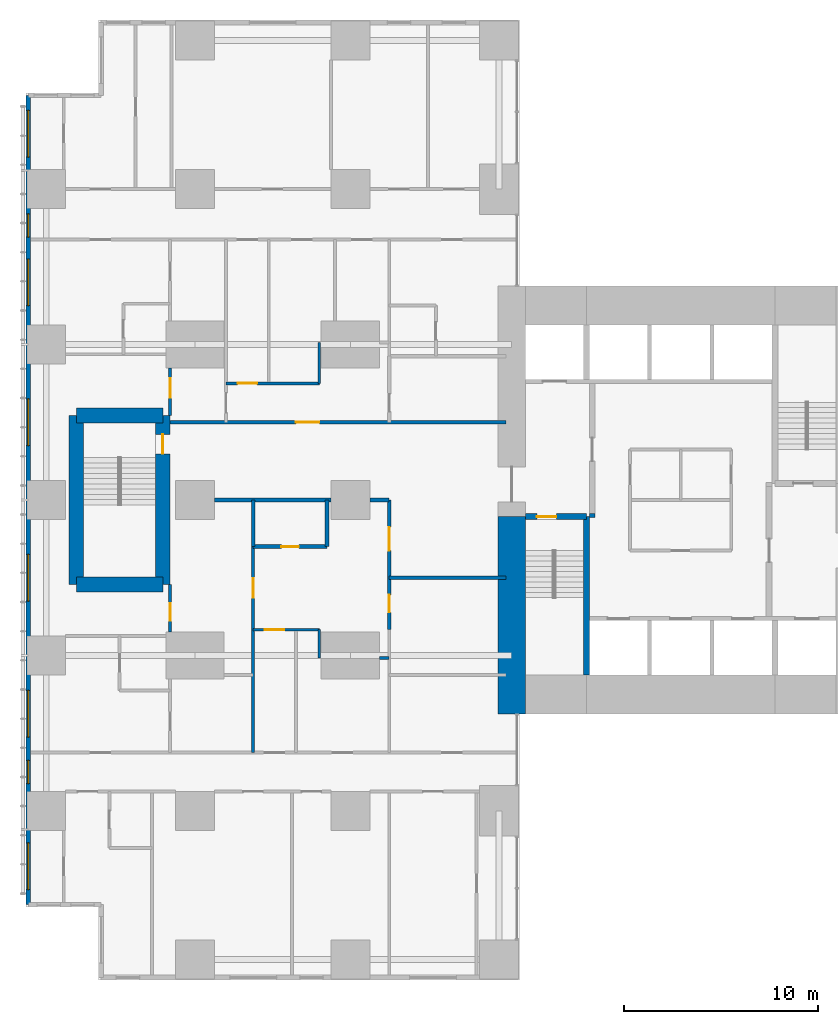
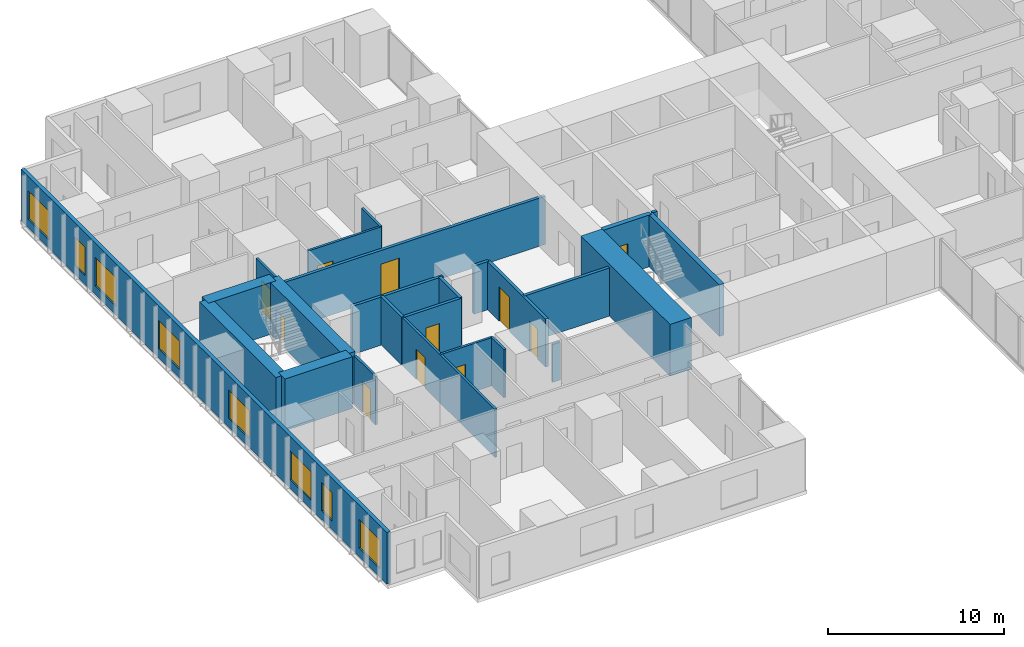
# One storey, part 13 of 20: 25 walls, 11 doors, 8 windows, 19 openings.
"""IFC4 building model written with IfcOpenShell, lengths in metres."""

from ifc_helpers import new_model, si_unit, direction, frame, frame_2d, origin, place, context, subcontext, project, spatial, rectangle, extrude, material, layer, layer_set, type_object, element, fill, save


model = new_model("IFC4")

# Units and contexts
model_context = context("Model", 3, precision=1e-05, world=origin(), true_north=direction((0.0, 1.0)))
body_context = subcontext(model_context, "Body", "Model", "MODEL_VIEW")
ifc_project = project(units=[si_unit("LENGTHUNIT", "METRE"), si_unit("AREAUNIT", "SQUARE_METRE"), si_unit("VOLUMEUNIT", "CUBIC_METRE"), si_unit("PLANEANGLEUNIT", "RADIAN"), si_unit("MASSUNIT", "GRAM", prefix="KILO")], contexts=[model_context])

# Site, building, storey
site_placement = place(None, origin())
site = spatial("IfcSite", under=ifc_project, at=site_placement, CompositionType="ELEMENT")
building_placement = place(site_placement, origin())
building = spatial("IfcBuilding", under=site, at=building_placement, Name="Cleftline Residences", CompositionType="ELEMENT")
storey_placement = place(building_placement, frame((0.0, 0.0, 76.39990234375)))
storey = spatial("IfcBuildingStorey", under=building, at=storey_placement, Name="L19", CompositionType="ELEMENT", Elevation=76.39990234375)

# Walls
ifc_material_1 = material(Name="Concrete B70", Category="concrete")
ifc_layer_1 = layer(ifc_material_1, 1.39990234375)
ifc_layer_set_1 = layer_set([ifc_layer_1], Name="CORE WALL 1400")
wall_type_1 = type_object("IfcWallType", Name="CORE WALL 1400", PredefinedType="SHEAR", material=ifc_layer_set_1)
wall_1_placement = place(storey_placement, frame((24.300048828125, 13.0, 0.0), z_axis=(0.0, 0.0, 1.0), x_axis=(0.0, 1.0, 0.0)))
element("IfcWall", 1, at=wall_1_placement, inside=storey, type_object=wall_type_1, Name="Core wall W0", PredefinedType="SHEAR", context=body_context, shape_type="SweptSolid", body=[
    extrude(rectangle(XDim=10.14990234375, YDim=1.39990234375, at=frame_2d((5.074951171875, 0.0))), origin(), (0.0, 0.0, 1.0), 3.60009765625),
])
ifc_material_2 = material(Name="Concrete B70", Category="concrete")
ifc_layer_2 = layer(ifc_material_2, 0.300048828125)
ifc_layer_set_2 = layer_set([ifc_layer_2], Name="CORE WALL 300")
wall_type_2 = type_object("IfcWallType", Name="CORE WALL 300", PredefinedType="SHEAR", material=ifc_layer_set_2)
wall_2_placement = place(storey_placement, frame((28.14990234375, 15.0, 0.0), z_axis=(0.0, 0.0, 1.0), x_axis=(0.0, 1.0, 0.0)))
element("IfcWall", 2, at=wall_2_placement, inside=storey, type_object=wall_type_2, Name="Core wall SA-E", PredefinedType="SHEAR", context=body_context, shape_type="SweptSolid", body=[
    extrude(rectangle(XDim=8.14990234375, YDim=0.300048828125, at=frame_2d((4.074951171875, 0.0))), origin(), (0.0, 0.0, 1.0), 3.60009765625),
])

# Wall, opening, door
wall_3_placement = place(storey_placement, frame((25.0, 23.14990234375, 0.0), z_axis=(0.0, 0.0, 1.0), x_axis=(1.0, 0.0, 0.0)))
wall_3 = element("IfcWall", 3, at=wall_3_placement, inside=storey, type_object=wall_type_2, Name="Core wall SA-N", PredefinedType="SHEAR", context=body_context, shape_type="SweptSolid", body=[
    extrude(rectangle(XDim=3.14990234375, YDim=0.300048828125, at=frame_2d((1.574951171875, 0.0))), origin(), (0.0, 0.0, 1.0), 3.60009765625),
])
opening_1_placement = place(wall_3_placement, frame((0.60009765625, 0.0, 0.0)))
opening_1 = element("IfcOpeningElement", 4, at=opening_1_placement, cuts=wall_3, Name="Opening D5", PredefinedType="OPENING", context=body_context, shape_type="SweptSolid", body=[
    extrude(rectangle(XDim=1.0, YDim=2.10009765625, at=frame_2d((0.5, 1.050048828125))), frame((0.0, 0.159912109375, 0.0), z_axis=(0.0, -1.0, 0.0), x_axis=(1.0, 0.0, 0.0)), (0.0, 0.0, 1.0), 0.320068359375),
])
ifc_material_3 = material(Name="Steel", Category="steel")
door_type_1 = type_object("IfcDoorType", Name="STAIR DOOR 1000X2100", OperationType="SINGLE_SWING_LEFT", PredefinedType="DOOR", material=ifc_material_3)
door_1_placement = place(opening_1_placement, origin())
door_1 = element("IfcDoor", 5, at=door_1_placement, inside=storey, type_object=door_type_1, Name="Stair A door", OperationType="SINGLE_SWING_RIGHT", OverallHeight=2.10009765625, OverallWidth=1.0, PredefinedType="DOOR", context=body_context, shape_type="SweptSolid", body=[
    extrude(rectangle(XDim=1.0, YDim=2.10009765625, at=frame_2d((0.5, 1.050048828125))), frame((0.0, 0.02490234375, 0.0), z_axis=(0.0, -1.0, 0.0), x_axis=(1.0, 0.0, 0.0)), (0.0, 0.0, 1.0), 0.050048828125),
])
fill(opening_1, door_1)

# Wall, openings, windows
ifc_material_4 = material(Name="Rendered reinforced concrete blockwork", Category="masonry")
ifc_layer_3 = layer(ifc_material_4, 0.25)
ifc_layer_set_3 = layer_set([ifc_layer_3], Name="EXTERNAL WALL 250")
wall_type_3 = type_object("IfcWallType", Name="EXTERNAL WALL 250", PredefinedType="SOLIDWALL", material=ifc_layer_set_3)
wall_4_placement = place(storey_placement, frame((-0.574951171875, 44.824951171875, 0.0), z_axis=(0.0, 0.0, 1.0), x_axis=(0.0, -1.0, 0.0)))
wall_4 = element("IfcWall", 6, at=wall_4_placement, inside=storey, type_object=wall_type_3, Name="External wall", PredefinedType="SOLIDWALL", context=body_context, shape_type="SweptSolid", body=[
    extrude(rectangle(XDim=41.64990234375, YDim=0.25, at=frame_2d((20.824951171875, 0.0))), origin(), (0.0, 0.0, 1.0), 3.60009765625),
])
opening_2_placement = place(wall_4_placement, frame((0.77490234375, 0.0, 0.60009765625)))
opening_2 = element("IfcOpeningElement", 7, at=opening_2_placement, cuts=wall_4, Name="Opening W6", PredefinedType="OPENING", context=body_context, shape_type="SweptSolid", body=[
    extrude(rectangle(XDim=2.39990234375, YDim=2.0, at=frame_2d((1.199951171875, 1.0))), frame((0.0, 0.135009765625, 0.0), z_axis=(0.0, -1.0, 0.0), x_axis=(1.0, 0.0, 0.0)), (0.0, 0.0, 1.0), 0.27001953125),
])
opening_3_placement = place(wall_4_placement, frame((6.10009765625, 0.0, 0.60009765625)))
opening_3 = element("IfcOpeningElement", 8, at=opening_3_placement, cuts=wall_4, Name="Opening W8", PredefinedType="OPENING", context=body_context, shape_type="SweptSolid", body=[
    extrude(rectangle(XDim=1.199951171875, YDim=2.0, at=frame_2d((0.60009765625, 1.0))), frame((0.0, 0.135009765625, 0.0), z_axis=(0.0, -1.0, 0.0), x_axis=(1.0, 0.0, 0.0)), (0.0, 0.0, 1.0), 0.27001953125),
])
opening_4_placement = place(wall_4_placement, frame((8.425048828125, 0.0, 0.60009765625)))
opening_4 = element("IfcOpeningElement", 9, at=opening_4_placement, cuts=wall_4, Name="Opening W6", PredefinedType="OPENING", context=body_context, shape_type="SweptSolid", body=[
    extrude(rectangle(XDim=2.39990234375, YDim=2.0, at=frame_2d((1.199951171875, 1.0))), frame((0.0, 0.135009765625, 0.0), z_axis=(0.0, -1.0, 0.0), x_axis=(1.0, 0.0, 0.0)), (0.0, 0.0, 1.0), 0.27001953125),
])
opening_5_placement = place(wall_4_placement, frame((15.625, 0.0, 0.60009765625)))
opening_5 = element("IfcOpeningElement", 10, at=opening_5_placement, cuts=wall_4, Name="Opening W6", PredefinedType="OPENING", context=body_context, shape_type="SweptSolid", body=[
    extrude(rectangle(XDim=2.39990234375, YDim=2.0, at=frame_2d((1.199951171875, 1.0))), frame((0.0, 0.135009765625, 0.0), z_axis=(0.0, -1.0, 0.0), x_axis=(1.0, 0.0, 0.0)), (0.0, 0.0, 1.0), 0.27001953125),
])
opening_6_placement = place(wall_4_placement, frame((23.625, 0.0, 0.60009765625)))
opening_6 = element("IfcOpeningElement", 11, at=opening_6_placement, cuts=wall_4, Name="Opening W6", PredefinedType="OPENING", context=body_context, shape_type="SweptSolid", body=[
    extrude(rectangle(XDim=2.39990234375, YDim=2.0, at=frame_2d((1.199951171875, 1.0))), frame((0.0, 0.135009765625, 0.0), z_axis=(0.0, -1.0, 0.0), x_axis=(1.0, 0.0, 0.0)), (0.0, 0.0, 1.0), 0.27001953125),
])
opening_7_placement = place(wall_4_placement, frame((30.625, 0.0, 0.60009765625)))
opening_7 = element("IfcOpeningElement", 12, at=opening_7_placement, cuts=wall_4, Name="Opening W6", PredefinedType="OPENING", context=body_context, shape_type="SweptSolid", body=[
    extrude(rectangle(XDim=2.39990234375, YDim=2.0, at=frame_2d((1.199951171875, 1.0))), frame((0.0, 0.135009765625, 0.0), z_axis=(0.0, -1.0, 0.0), x_axis=(1.0, 0.0, 0.0)), (0.0, 0.0, 1.0), 0.27001953125),
])
opening_8_placement = place(wall_4_placement, frame((34.22509765625, 0.0, 0.60009765625)))
opening_8 = element("IfcOpeningElement", 13, at=opening_8_placement, cuts=wall_4, Name="Opening W8", PredefinedType="OPENING", context=body_context, shape_type="SweptSolid", body=[
    extrude(rectangle(XDim=1.199951171875, YDim=2.0, at=frame_2d((0.60009765625, 1.0))), frame((0.0, 0.135009765625, 0.0), z_axis=(0.0, -1.0, 0.0), x_axis=(1.0, 0.0, 0.0)), (0.0, 0.0, 1.0), 0.27001953125),
])
opening_9_placement = place(wall_4_placement, frame((38.47509765625, 0.0, 0.60009765625)))
opening_9 = element("IfcOpeningElement", 14, at=opening_9_placement, cuts=wall_4, Name="Opening W6", PredefinedType="OPENING", context=body_context, shape_type="SweptSolid", body=[
    extrude(rectangle(XDim=2.39990234375, YDim=2.0, at=frame_2d((1.199951171875, 1.0))), frame((0.0, 0.135009765625, 0.0), z_axis=(0.0, -1.0, 0.0), x_axis=(1.0, 0.0, 0.0)), (0.0, 0.0, 1.0), 0.27001953125),
])
ifc_material_5 = material(Name="Aluminium frame, clear double glazing", Category="aluminium")
window_type_1 = type_object("IfcWindowType", Name="WINDOW 1200X2000", PartitioningType="DOUBLE_PANEL_VERTICAL", PredefinedType="WINDOW", material=ifc_material_5)
window_1_placement = place(opening_3_placement, origin())
window_1 = element("IfcWindow", 15, at=window_1_placement, inside=storey, type_object=window_type_1, Name="Window", OverallHeight=2.0, OverallWidth=1.199951171875, PartitioningType="SINGLE_PANEL", PredefinedType="WINDOW", context=body_context, shape_type="SweptSolid", body=[
    extrude(rectangle(XDim=1.199951171875, YDim=2.0, at=frame_2d((0.60009765625, 1.0))), frame((0.0, 0.030029296875, 0.0), z_axis=(0.0, -1.0, 0.0), x_axis=(1.0, 0.0, 0.0)), (0.0, 0.0, 1.0), 0.06005859375),
])
fill(opening_3, window_1)
window_2_placement = place(opening_8_placement, origin())
window_2 = element("IfcWindow", 16, at=window_2_placement, inside=storey, type_object=window_type_1, Name="Window", OverallHeight=2.0, OverallWidth=1.199951171875, PartitioningType="SINGLE_PANEL", PredefinedType="WINDOW", context=body_context, shape_type="SweptSolid", body=[
    extrude(rectangle(XDim=1.199951171875, YDim=2.0, at=frame_2d((0.60009765625, 1.0))), frame((0.0, 0.030029296875, 0.0), z_axis=(0.0, -1.0, 0.0), x_axis=(1.0, 0.0, 0.0)), (0.0, 0.0, 1.0), 0.06005859375),
])
fill(opening_8, window_2)
ifc_material_6 = material(Name="Aluminium frame, clear double glazing", Category="aluminium")
window_type_2 = type_object("IfcWindowType", Name="WINDOW 2400X2000", PartitioningType="DOUBLE_PANEL_VERTICAL", PredefinedType="WINDOW", material=ifc_material_6)
window_3_placement = place(opening_2_placement, origin())
window_3 = element("IfcWindow", 17, at=window_3_placement, inside=storey, type_object=window_type_2, Name="Window", OverallHeight=2.0, OverallWidth=2.39990234375, PartitioningType="SINGLE_PANEL", PredefinedType="WINDOW", context=body_context, shape_type="SweptSolid", body=[
    extrude(rectangle(XDim=2.39990234375, YDim=2.0, at=frame_2d((1.199951171875, 1.0))), frame((0.0, 0.030029296875, 0.0), z_axis=(0.0, -1.0, 0.0), x_axis=(1.0, 0.0, 0.0)), (0.0, 0.0, 1.0), 0.06005859375),
])
fill(opening_2, window_3)
window_4_placement = place(opening_4_placement, origin())
window_4 = element("IfcWindow", 18, at=window_4_placement, inside=storey, type_object=window_type_2, Name="Window", OverallHeight=2.0, OverallWidth=2.39990234375, PartitioningType="SINGLE_PANEL", PredefinedType="WINDOW", context=body_context, shape_type="SweptSolid", body=[
    extrude(rectangle(XDim=2.39990234375, YDim=2.0, at=frame_2d((1.199951171875, 1.0))), frame((0.0, 0.030029296875, 0.0), z_axis=(0.0, -1.0, 0.0), x_axis=(1.0, 0.0, 0.0)), (0.0, 0.0, 1.0), 0.06005859375),
])
fill(opening_4, window_4)
window_5_placement = place(opening_5_placement, origin())
window_5 = element("IfcWindow", 19, at=window_5_placement, inside=storey, type_object=window_type_2, Name="Window", OverallHeight=2.0, OverallWidth=2.39990234375, PartitioningType="SINGLE_PANEL", PredefinedType="WINDOW", context=body_context, shape_type="SweptSolid", body=[
    extrude(rectangle(XDim=2.39990234375, YDim=2.0, at=frame_2d((1.199951171875, 1.0))), frame((0.0, 0.030029296875, 0.0), z_axis=(0.0, -1.0, 0.0), x_axis=(1.0, 0.0, 0.0)), (0.0, 0.0, 1.0), 0.06005859375),
])
fill(opening_5, window_5)
window_6_placement = place(opening_6_placement, origin())
window_6 = element("IfcWindow", 20, at=window_6_placement, inside=storey, type_object=window_type_2, Name="Window", OverallHeight=2.0, OverallWidth=2.39990234375, PartitioningType="SINGLE_PANEL", PredefinedType="WINDOW", context=body_context, shape_type="SweptSolid", body=[
    extrude(rectangle(XDim=2.39990234375, YDim=2.0, at=frame_2d((1.199951171875, 1.0))), frame((0.0, 0.030029296875, 0.0), z_axis=(0.0, -1.0, 0.0), x_axis=(1.0, 0.0, 0.0)), (0.0, 0.0, 1.0), 0.06005859375),
])
fill(opening_6, window_6)
window_7_placement = place(opening_7_placement, origin())
window_7 = element("IfcWindow", 21, at=window_7_placement, inside=storey, type_object=window_type_2, Name="Window", OverallHeight=2.0, OverallWidth=2.39990234375, PartitioningType="SINGLE_PANEL", PredefinedType="WINDOW", context=body_context, shape_type="SweptSolid", body=[
    extrude(rectangle(XDim=2.39990234375, YDim=2.0, at=frame_2d((1.199951171875, 1.0))), frame((0.0, 0.030029296875, 0.0), z_axis=(0.0, -1.0, 0.0), x_axis=(1.0, 0.0, 0.0)), (0.0, 0.0, 1.0), 0.06005859375),
])
fill(opening_7, window_7)
window_8_placement = place(opening_9_placement, origin())
window_8 = element("IfcWindow", 22, at=window_8_placement, inside=storey, type_object=window_type_2, Name="Window", OverallHeight=2.0, OverallWidth=2.39990234375, PartitioningType="SINGLE_PANEL", PredefinedType="WINDOW", context=body_context, shape_type="SweptSolid", body=[
    extrude(rectangle(XDim=2.39990234375, YDim=2.0, at=frame_2d((1.199951171875, 1.0))), frame((0.0, 0.030029296875, 0.0), z_axis=(0.0, -1.0, 0.0), x_axis=(1.0, 0.0, 0.0)), (0.0, 0.0, 1.0), 0.06005859375),
])
fill(opening_9, window_8)

# Wall
ifc_material_7 = material(Name="Concrete blockwork, fire rated", Category="masonry")
ifc_layer_4 = layer(ifc_material_7, 0.199951171875)
ifc_layer_set_4 = layer_set([ifc_layer_4], Name="FIRE WALL 200")
wall_type_4 = type_object("IfcWallType", Name="FIRE WALL 200", PredefinedType="PARTITIONING", material=ifc_layer_set_4)
wall_5_placement = place(storey_placement, frame((18.0, 20.0, 0.0), z_axis=(0.0, 0.0, 1.0), x_axis=(1.0, 0.0, 0.0)))
element("IfcWall", 23, at=wall_5_placement, inside=storey, type_object=wall_type_4, Name="Fire separating wall", PredefinedType="PARTITIONING", context=body_context, shape_type="SweptSolid", body=[
    extrude(rectangle(XDim=6.0, YDim=0.199951171875, at=frame_2d((3.0, 0.0))), origin(), (0.0, 0.0, 1.0), 3.35009765625),
])

# Wall, opening, door
wall_6_placement = place(storey_placement, frame((11.0, 21.60009765625, 0.0), z_axis=(0.0, 0.0, 1.0), x_axis=(1.0, 0.0, 0.0)))
wall_6 = element("IfcWall", 24, at=wall_6_placement, inside=storey, type_object=wall_type_4, Name="Fire separating wall", PredefinedType="PARTITIONING", context=body_context, shape_type="SweptSolid", body=[
    extrude(rectangle(XDim=3.800048828125, YDim=0.199951171875, at=frame_2d((1.89990234375, 0.0))), origin(), (0.0, 0.0, 1.0), 3.35009765625),
])
opening_10_placement = place(wall_6_placement, frame((1.449951171875, 0.0, 0.0)))
opening_10 = element("IfcOpeningElement", 25, at=opening_10_placement, cuts=wall_6, Name="Opening D1F30", PredefinedType="OPENING", context=body_context, shape_type="SweptSolid", body=[
    extrude(rectangle(XDim=0.89990234375, YDim=2.10009765625, at=frame_2d((0.449951171875, 1.050048828125))), frame((0.0, 0.10986328125, 0.0), z_axis=(0.0, -1.0, 0.0), x_axis=(1.0, 0.0, 0.0)), (0.0, 0.0, 1.0), 0.219970703125),
])
ifc_material_8 = material(Name="Timber veneer on solid core", Category="wood")
door_type_2 = type_object("IfcDoorType", Name="DOOR 900X2100 EI 30", OperationType="SINGLE_SWING_LEFT", PredefinedType="DOOR", material=ifc_material_8)
door_2_placement = place(opening_10_placement, origin())
door_2 = element("IfcDoor", 26, at=door_2_placement, inside=storey, type_object=door_type_2, Name="Door to cloakroom wc", OperationType="SINGLE_SWING_LEFT", OverallHeight=2.10009765625, OverallWidth=0.89990234375, PredefinedType="DOOR", context=body_context, shape_type="SweptSolid", body=[
    extrude(rectangle(XDim=0.89990234375, YDim=2.10009765625, at=frame_2d((0.449951171875, 1.050048828125))), frame((0.0, 0.02490234375, 0.0), z_axis=(0.0, -1.0, 0.0), x_axis=(1.0, 0.0, 0.0)), (0.0, 0.0, 1.0), 0.050048828125),
])
fill(opening_10, door_2)

# Walls
wall_7_placement = place(storey_placement, frame((9.0, 24.0, 0.0), z_axis=(0.0, 0.0, 1.0), x_axis=(1.0, 0.0, 0.0)))
element("IfcWall", 27, at=wall_7_placement, inside=storey, type_object=wall_type_4, Name="Fire separating wall", PredefinedType="PARTITIONING", context=body_context, shape_type="SweptSolid", body=[
    extrude(rectangle(XDim=6.0, YDim=0.199951171875, at=frame_2d((3.0, 0.0))), origin(), (0.0, 0.0, 1.0), 3.35009765625),
])
wall_8_placement = place(storey_placement, frame((17.0, 24.0, 0.0), z_axis=(0.0, 0.0, 1.0), x_axis=(1.0, 0.0, 0.0)))
element("IfcWall", 28, at=wall_8_placement, inside=storey, type_object=wall_type_4, Name="Fire separating wall", PredefinedType="PARTITIONING", context=body_context, shape_type="SweptSolid", body=[
    extrude(rectangle(XDim=1.0, YDim=0.199951171875, at=frame_2d((0.5, 0.0))), origin(), (0.0, 0.0, 1.0), 3.35009765625),
])

# Wall, opening, door
wall_9_placement = place(storey_placement, frame((6.72509765625, 28.0, 0.0), z_axis=(0.0, 0.0, 1.0), x_axis=(1.0, 0.0, 0.0)))
wall_9 = element("IfcWall", 29, at=wall_9_placement, inside=storey, type_object=wall_type_4, Name="Fire separating wall", PredefinedType="PARTITIONING", context=body_context, shape_type="SweptSolid", body=[
    extrude(rectangle(XDim=17.27490234375, YDim=0.199951171875, at=frame_2d((8.637451171875, 0.0))), origin(), (0.0, 0.0, 1.0), 3.35009765625),
])
opening_11_placement = place(wall_9_placement, frame((6.47509765625, 0.0, 0.0)))
opening_11 = element("IfcOpeningElement", 30, at=opening_11_placement, cuts=wall_9, Name="Opening D4", PredefinedType="OPENING", context=body_context, shape_type="SweptSolid", body=[
    extrude(rectangle(XDim=1.199951171875, YDim=2.39990234375, at=frame_2d((0.60009765625, 1.199951171875))), frame((0.0, 0.10986328125, 0.0), z_axis=(0.0, -1.0, 0.0), x_axis=(1.0, 0.0, 0.0)), (0.0, 0.0, 1.0), 0.219970703125),
])
ifc_material_9 = material(Name="Timber veneer on solid core", Category="wood")
door_type_3 = type_object("IfcDoorType", Name="APARTMENT ENTRANCE DOOR 1200X2400", OperationType="SINGLE_SWING_RIGHT", PredefinedType="DOOR", material=ifc_material_9)
door_3_placement = place(opening_11_placement, origin())
door_3 = element("IfcDoor", 31, at=door_3_placement, inside=storey, type_object=door_type_3, Name="Door to residence entrance foyer", OperationType="SINGLE_SWING_RIGHT", OverallHeight=2.39990234375, OverallWidth=1.199951171875, PredefinedType="DOOR", context=body_context, shape_type="SweptSolid", body=[
    extrude(rectangle(XDim=1.199951171875, YDim=2.39990234375, at=frame_2d((0.60009765625, 1.199951171875))), frame((0.0, 0.02490234375, 0.0), z_axis=(0.0, -1.0, 0.0), x_axis=(1.0, 0.0, 0.0)), (0.0, 0.0, 1.0), 0.050048828125),
])
fill(opening_11, door_3)

# Walls
for number, where, z_axis, x_axis, name in (
    (32, (11.0, 21.60009765625, 0.0), (0.0, 0.0, 1.0), (0.0, 1.0, 0.0), "Fire separating wall"),
    (33, (14.800048828125, 21.60009765625, 0.0), (0.0, 0.0, 1.0), (0.0, 1.0, 0.0), "Fire separating wall"),
):
    element("IfcWall", number, at=place(storey_placement, frame(where, z_axis=z_axis, x_axis=x_axis)), inside=storey, type_object=wall_type_4, Name=name, PredefinedType="PARTITIONING", context=body_context, shape_type="SweptSolid", body=[
        extrude(rectangle(XDim=2.39990234375, YDim=0.199951171875, at=frame_2d((1.199951171875, 0.0))), origin(), (0.0, 0.0, 1.0), 3.35009765625),
    ])

# Wall, openings, doors
wall_10_placement = place(storey_placement, frame((18.0, 17.324951171875, 0.0), z_axis=(0.0, 0.0, 1.0), x_axis=(0.0, 1.0, 0.0)))
wall_10 = element("IfcWall", 34, at=wall_10_placement, inside=storey, type_object=wall_type_4, Name="Fire separating wall", PredefinedType="PARTITIONING", context=body_context, shape_type="SweptSolid", body=[
    extrude(rectangle(XDim=6.675048828125, YDim=0.199951171875, at=frame_2d((3.33740234375, 0.0))), origin(), (0.0, 0.0, 1.0), 3.35009765625),
])
opening_12_placement = place(wall_10_placement, frame((4.074951171875, 0.0, 0.0)))
opening_12 = element("IfcOpeningElement", 35, at=opening_12_placement, cuts=wall_10, Name="Opening D4", PredefinedType="OPENING", context=body_context, shape_type="SweptSolid", body=[
    extrude(rectangle(XDim=1.199951171875, YDim=2.39990234375, at=frame_2d((0.60009765625, 1.199951171875))), frame((0.0, 0.10986328125, 0.0), z_axis=(0.0, -1.0, 0.0), x_axis=(1.0, 0.0, 0.0)), (0.0, 0.0, 1.0), 0.219970703125),
])
opening_13_placement = place(wall_10_placement, frame((0.887451171875, 0.0, 0.0)))
opening_13 = element("IfcOpeningElement", 36, at=opening_13_placement, cuts=wall_10, Name="Opening D1F30", PredefinedType="OPENING", context=body_context, shape_type="SweptSolid", body=[
    extrude(rectangle(XDim=0.89990234375, YDim=2.10009765625, at=frame_2d((0.449951171875, 1.050048828125))), frame((0.0, 0.10986328125, 0.0), z_axis=(0.0, -1.0, 0.0), x_axis=(1.0, 0.0, 0.0)), (0.0, 0.0, 1.0), 0.219970703125),
])
door_4_placement = place(opening_12_placement, origin())
door_4 = element("IfcDoor", 37, at=door_4_placement, inside=storey, type_object=door_type_3, Name="Door to residence entrance foyer", OperationType="SINGLE_SWING_LEFT", OverallHeight=2.39990234375, OverallWidth=1.199951171875, PredefinedType="DOOR", context=body_context, shape_type="SweptSolid", body=[
    extrude(rectangle(XDim=1.199951171875, YDim=2.39990234375, at=frame_2d((0.60009765625, 1.199951171875))), frame((0.0, 0.02490234375, 0.0), z_axis=(0.0, -1.0, 0.0), x_axis=(1.0, 0.0, 0.0)), (0.0, 0.0, 1.0), 0.050048828125),
])
fill(opening_12, door_4)
door_5_placement = place(opening_13_placement, origin())
door_5 = element("IfcDoor", 38, at=door_5_placement, inside=storey, type_object=door_type_2, Name="Door to utility room", OperationType="SINGLE_SWING_RIGHT", OverallHeight=2.10009765625, OverallWidth=0.89990234375, PredefinedType="DOOR", context=body_context, shape_type="SweptSolid", body=[
    extrude(rectangle(XDim=0.89990234375, YDim=2.10009765625, at=frame_2d((0.449951171875, 1.050048828125))), frame((0.0, 0.02490234375, 0.0), z_axis=(0.0, -1.0, 0.0), x_axis=(1.0, 0.0, 0.0)), (0.0, 0.0, 1.0), 0.050048828125),
])
fill(opening_13, door_5)

# Walls
wall_11_placement = place(storey_placement, frame((28.300048828125, 23.199951171875, 0.0), z_axis=(0.0, 0.0, 1.0), x_axis=(1.0, 0.0, 0.0)))
element("IfcWall", 39, at=wall_11_placement, inside=storey, type_object=wall_type_4, Name="Fire separating wall", PredefinedType="PARTITIONING", context=body_context, shape_type="SweptSolid", body=[
    extrude(rectangle(XDim=0.300048828125, YDim=0.199951171875, at=frame_2d((0.14990234375, 0.0))), origin(), (0.0, 0.0, 1.0), 3.60009765625),
])
ifc_material_10 = material(Name="Gypsum board on steel studs", Category="steel")
ifc_layer_5 = layer(ifc_material_10, 0.14990234375)
ifc_layer_set_5 = layer_set([ifc_layer_5], Name="PARTITION 150")
wall_type_5 = type_object("IfcWallType", Name="PARTITION 150", PredefinedType="PARTITIONING", material=ifc_layer_set_5)
wall_12_placement = place(storey_placement, frame((17.5, 15.875, 0.0), z_axis=(0.0, 0.0, 1.0), x_axis=(1.0, 0.0, 0.0)))
element("IfcWall", 40, at=wall_12_placement, inside=storey, type_object=wall_type_5, Name="Partition", PredefinedType="PARTITIONING", context=body_context, shape_type="SweptSolid", body=[
    extrude(rectangle(XDim=0.5, YDim=0.14990234375, at=frame_2d((0.25, 0.0))), origin(), (0.0, 0.0, 1.0), 2.634033203125),
])

# Wall, opening, door
wall_13_placement = place(storey_placement, frame((11.0, 17.324951171875, 0.0), z_axis=(0.0, 0.0, 1.0), x_axis=(1.0, 0.0, 0.0)))
wall_13 = element("IfcWall", 41, at=wall_13_placement, inside=storey, type_object=wall_type_5, Name="Partition", PredefinedType="PARTITIONING", context=body_context, shape_type="SweptSolid", body=[
    extrude(rectangle(XDim=3.39990234375, YDim=0.14990234375, at=frame_2d((1.699951171875, 0.0))), origin(), (0.0, 0.0, 1.0), 3.35009765625),
])
opening_14_placement = place(wall_13_placement, frame((0.60009765625, 0.0, 0.0)))
opening_14 = element("IfcOpeningElement", 42, at=opening_14_placement, cuts=wall_13, Name="Opening D2", PredefinedType="OPENING", context=body_context, shape_type="SweptSolid", body=[
    extrude(rectangle(XDim=1.0, YDim=2.10009765625, at=frame_2d((0.5, 1.050048828125))), frame((0.0, 0.0849609375, 0.0), z_axis=(0.0, -1.0, 0.0), x_axis=(1.0, 0.0, 0.0)), (0.0, 0.0, 1.0), 0.169921875),
])
ifc_material_11 = material(Name="Timber veneer on solid core", Category="wood")
door_type_4 = type_object("IfcDoorType", Name="DOOR 1000X2100", OperationType="SINGLE_SWING_LEFT", PredefinedType="DOOR", material=ifc_material_11)
door_6_placement = place(opening_14_placement, origin())
door_6 = element("IfcDoor", 43, at=door_6_placement, inside=storey, type_object=door_type_4, Name="Door to residence passage", OperationType="SINGLE_SWING_RIGHT", OverallHeight=2.10009765625, OverallWidth=1.0, PredefinedType="DOOR", context=body_context, shape_type="SweptSolid", body=[
    extrude(rectangle(XDim=1.0, YDim=2.10009765625, at=frame_2d((0.5, 1.050048828125))), frame((0.0, 0.02490234375, 0.0), z_axis=(0.0, -1.0, 0.0), x_axis=(1.0, 0.0, 0.0)), (0.0, 0.0, 1.0), 0.050048828125),
])
fill(opening_14, door_6)

wall_14_placement = place(storey_placement, frame((9.60009765625, 30.0, 0.0), z_axis=(0.0, 0.0, 1.0), x_axis=(1.0, 0.0, 0.0)))
wall_14 = element("IfcWall", 44, at=wall_14_placement, inside=storey, type_object=wall_type_5, Name="Partition", PredefinedType="PARTITIONING", context=body_context, shape_type="SweptSolid", body=[
    extrude(rectangle(XDim=4.7998046875, YDim=0.14990234375, at=frame_2d((2.39990234375, 0.0))), origin(), (0.0, 0.0, 1.0), 3.35009765625),
])
opening_15_placement = place(wall_14_placement, frame((0.60009765625, 0.0, 0.0)))
opening_15 = element("IfcOpeningElement", 45, at=opening_15_placement, cuts=wall_14, Name="Opening D2", PredefinedType="OPENING", context=body_context, shape_type="SweptSolid", body=[
    extrude(rectangle(XDim=1.0, YDim=2.10009765625, at=frame_2d((0.5, 1.050048828125))), frame((0.0, 0.0849609375, 0.0), z_axis=(0.0, -1.0, 0.0), x_axis=(1.0, 0.0, 0.0)), (0.0, 0.0, 1.0), 0.169921875),
])
door_7_placement = place(opening_15_placement, origin())
door_7 = element("IfcDoor", 46, at=door_7_placement, inside=storey, type_object=door_type_4, Name="Door to residence passage", OperationType="SINGLE_SWING_RIGHT", OverallHeight=2.10009765625, OverallWidth=1.0, PredefinedType="DOOR", context=body_context, shape_type="SweptSolid", body=[
    extrude(rectangle(XDim=1.0, YDim=2.10009765625, at=frame_2d((0.5, 1.050048828125))), frame((0.0, 0.02490234375, 0.0), z_axis=(0.0, -1.0, 0.0), x_axis=(1.0, 0.0, 0.0)), (0.0, 0.0, 1.0), 0.050048828125),
])
fill(opening_15, door_7)

wall_15_placement = place(storey_placement, frame((6.72509765625, 17.199951171875, 0.0), z_axis=(0.0, 0.0, 1.0), x_axis=(0.0, 1.0, 0.0)))
wall_15 = element("IfcWall", 47, at=wall_15_placement, inside=storey, type_object=wall_type_5, Name="Partition", PredefinedType="PARTITIONING", context=body_context, shape_type="SweptSolid", body=[
    extrude(rectangle(XDim=2.449951171875, YDim=0.14990234375, at=frame_2d((1.22509765625, 0.0))), origin(), (0.0, 0.0, 1.0), 3.35009765625),
])
opening_16_placement = place(wall_15_placement, frame((0.58740234375, 0.0, 0.0)))
opening_16 = element("IfcOpeningElement", 48, at=opening_16_placement, cuts=wall_15, Name="Opening D1", PredefinedType="OPENING", context=body_context, shape_type="SweptSolid", body=[
    extrude(rectangle(XDim=0.89990234375, YDim=2.10009765625, at=frame_2d((0.449951171875, 1.050048828125))), frame((0.0, 0.0849609375, 0.0), z_axis=(0.0, -1.0, 0.0), x_axis=(1.0, 0.0, 0.0)), (0.0, 0.0, 1.0), 0.169921875),
])
ifc_material_12 = material(Name="Timber veneer on solid core", Category="wood")
door_type_5 = type_object("IfcDoorType", Name="DOOR 900X2100", OperationType="SINGLE_SWING_LEFT", PredefinedType="DOOR", material=ifc_material_12)
door_8_placement = place(opening_16_placement, origin())
door_8 = element("IfcDoor", 49, at=door_8_placement, inside=storey, type_object=door_type_5, Name="Door to service loggia", OperationType="SINGLE_SWING_RIGHT", OverallHeight=2.10009765625, OverallWidth=0.89990234375, PredefinedType="DOOR", context=body_context, shape_type="SweptSolid", body=[
    extrude(rectangle(XDim=0.89990234375, YDim=2.10009765625, at=frame_2d((0.449951171875, 1.050048828125))), frame((0.0, 0.02490234375, 0.0), z_axis=(0.0, -1.0, 0.0), x_axis=(1.0, 0.0, 0.0)), (0.0, 0.0, 1.0), 0.050048828125),
])
fill(opening_16, door_8)

wall_16_placement = place(storey_placement, frame((6.72509765625, 28.35009765625, 0.0), z_axis=(0.0, 0.0, 1.0), x_axis=(0.0, 1.0, 0.0)))
wall_16 = element("IfcWall", 50, at=wall_16_placement, inside=storey, type_object=wall_type_5, Name="Partition", PredefinedType="PARTITIONING", context=body_context, shape_type="SweptSolid", body=[
    extrude(rectangle(XDim=2.449951171875, YDim=0.14990234375, at=frame_2d((1.22509765625, 0.0))), origin(), (0.0, 0.0, 1.0), 3.35009765625),
])
opening_17_placement = place(wall_16_placement, frame((0.91259765625, 0.0, 0.0)))
opening_17 = element("IfcOpeningElement", 51, at=opening_17_placement, cuts=wall_16, Name="Opening D2", PredefinedType="OPENING", context=body_context, shape_type="SweptSolid", body=[
    extrude(rectangle(XDim=1.0, YDim=2.10009765625, at=frame_2d((0.5, 1.050048828125))), frame((0.0, 0.0849609375, 0.0), z_axis=(0.0, -1.0, 0.0), x_axis=(1.0, 0.0, 0.0)), (0.0, 0.0, 1.0), 0.169921875),
])
door_9_placement = place(opening_17_placement, origin())
door_9 = element("IfcDoor", 52, at=door_9_placement, inside=storey, type_object=door_type_4, Name="Door to altar room", OperationType="SINGLE_SWING_LEFT", OverallHeight=2.10009765625, OverallWidth=1.0, PredefinedType="DOOR", context=body_context, shape_type="SweptSolid", body=[
    extrude(rectangle(XDim=1.0, YDim=2.10009765625, at=frame_2d((0.5, 1.050048828125))), frame((0.0, 0.02490234375, 0.0), z_axis=(0.0, -1.0, 0.0), x_axis=(1.0, 0.0, 0.0)), (0.0, 0.0, 1.0), 0.050048828125),
])
fill(opening_17, door_9)

wall_17_placement = place(storey_placement, frame((11.0, 11.0, 0.0), z_axis=(0.0, 0.0, 1.0), x_axis=(0.0, 1.0, 0.0)))
wall_17 = element("IfcWall", 53, at=wall_17_placement, inside=storey, type_object=wall_type_5, Name="Partition", PredefinedType="PARTITIONING", context=body_context, shape_type="SweptSolid", body=[
    extrude(rectangle(XDim=10.60009765625, YDim=0.14990234375, at=frame_2d((5.300048828125, 0.0))), origin(), (0.0, 0.0, 1.0), 3.35009765625),
])
opening_18_placement = place(wall_17_placement, frame((7.96240234375, 0.0, 0.0)))
opening_18 = element("IfcOpeningElement", 54, at=opening_18_placement, cuts=wall_17, Name="Opening D2F30", PredefinedType="OPENING", context=body_context, shape_type="SweptSolid", body=[
    extrude(rectangle(XDim=1.0, YDim=2.10009765625, at=frame_2d((0.5, 1.050048828125))), frame((0.0, 0.0849609375, 0.0), z_axis=(0.0, -1.0, 0.0), x_axis=(1.0, 0.0, 0.0)), (0.0, 0.0, 1.0), 0.169921875),
])
ifc_material_13 = material(Name="Timber veneer on solid core", Category="wood")
door_type_6 = type_object("IfcDoorType", Name="DOOR 1000X2100 EI 30", OperationType="SINGLE_SWING_LEFT", PredefinedType="DOOR", material=ifc_material_13)
door_10_placement = place(opening_18_placement, origin())
door_10 = element("IfcDoor", 55, at=door_10_placement, inside=storey, type_object=door_type_6, Name="Door to residence lobby", OperationType="SINGLE_SWING_LEFT", OverallHeight=2.10009765625, OverallWidth=1.0, PredefinedType="DOOR", context=body_context, shape_type="SweptSolid", body=[
    extrude(rectangle(XDim=1.0, YDim=2.10009765625, at=frame_2d((0.5, 1.050048828125))), frame((0.0, 0.02490234375, 0.0), z_axis=(0.0, -1.0, 0.0), x_axis=(1.0, 0.0, 0.0)), (0.0, 0.0, 1.0), 0.050048828125),
])
fill(opening_18, door_10)

# Walls
wall_18_placement = place(storey_placement, frame((14.39990234375, 15.875, 0.0), z_axis=(0.0, 0.0, 1.0), x_axis=(0.0, 1.0, 0.0)))
element("IfcWall", 56, at=wall_18_placement, inside=storey, type_object=wall_type_5, Name="Partition", PredefinedType="PARTITIONING", context=body_context, shape_type="SweptSolid", body=[
    extrude(rectangle(XDim=1.449951171875, YDim=0.14990234375, at=frame_2d((0.72509765625, 0.0))), origin(), (0.0, 0.0, 1.0), 3.35009765625),
])
wall_19_placement = place(storey_placement, frame((14.39990234375, 30.0, 0.0), z_axis=(0.0, 0.0, 1.0), x_axis=(0.0, 1.0, 0.0)))
element("IfcWall", 57, at=wall_19_placement, inside=storey, type_object=wall_type_5, Name="Partition", PredefinedType="PARTITIONING", context=body_context, shape_type="SweptSolid", body=[
    extrude(rectangle(XDim=2.10009765625, YDim=0.14990234375, at=frame_2d((1.050048828125, 0.0))), origin(), (0.0, 0.0, 1.0), 3.35009765625),
])
ifc_material_14 = material(Name="Concrete B70", Category="concrete")
ifc_layer_6 = layer(ifc_material_14, 0.75)
ifc_layer_set_6 = layer_set([ifc_layer_6], Name="SHEAR WALL 750")
wall_type_6 = type_object("IfcWallType", Name="SHEAR WALL 750", PredefinedType="SHEAR", material=ifc_layer_set_6)
wall_20_placement = place(storey_placement, frame((1.89990234375, 19.64990234375, 0.0), z_axis=(0.0, 0.0, 1.0), x_axis=(1.0, 0.0, 0.0)))
element("IfcWall", 58, at=wall_20_placement, inside=storey, type_object=wall_type_6, Name="Wing shear wall", PredefinedType="SHEAR", context=body_context, shape_type="SweptSolid", body=[
    extrude(rectangle(XDim=4.4501953125, YDim=0.75, at=frame_2d((2.22509765625, 0.0))), origin(), (0.0, 0.0, 1.0), 3.60009765625),
])

# Wall, opening, door
wall_21_placement = place(storey_placement, frame((6.35009765625, 19.64990234375, 0.0), z_axis=(0.0, 0.0, 1.0), x_axis=(0.0, 1.0, 0.0)))
wall_21 = element("IfcWall", 59, at=wall_21_placement, inside=storey, type_object=wall_type_6, Name="Wing shear wall", PredefinedType="SHEAR", context=body_context, shape_type="SweptSolid", body=[
    extrude(rectangle(XDim=8.7001953125, YDim=0.75, at=frame_2d((4.35009765625, 0.0))), origin(), (0.0, 0.0, 1.0), 3.60009765625),
])
opening_19_placement = place(wall_21_placement, frame((6.72509765625, 0.0, 0.0)))
opening_19 = element("IfcOpeningElement", 60, at=opening_19_placement, cuts=wall_21, Name="Opening D5", PredefinedType="OPENING", context=body_context, shape_type="SweptSolid", body=[
    extrude(rectangle(XDim=1.0, YDim=2.10009765625, at=frame_2d((0.5, 1.050048828125))), frame((0.0, 0.385009765625, 0.0), z_axis=(0.0, -1.0, 0.0), x_axis=(1.0, 0.0, 0.0)), (0.0, 0.0, 1.0), 0.77001953125),
])
door_11_placement = place(opening_19_placement, origin())
door_11 = element("IfcDoor", 61, at=door_11_placement, inside=storey, type_object=door_type_1, Name="Stair W door", OperationType="SINGLE_SWING_LEFT", OverallHeight=2.10009765625, OverallWidth=1.0, PredefinedType="DOOR", context=body_context, shape_type="SweptSolid", body=[
    extrude(rectangle(XDim=1.0, YDim=2.10009765625, at=frame_2d((0.5, 1.050048828125))), frame((0.0, 0.02490234375, 0.0), z_axis=(0.0, -1.0, 0.0), x_axis=(1.0, 0.0, 0.0)), (0.0, 0.0, 1.0), 0.050048828125),
])
fill(opening_19, door_11)

# Walls
wall_22_placement = place(storey_placement, frame((6.35009765625, 28.35009765625, 0.0), z_axis=(0.0, 0.0, 1.0), x_axis=(-1.0, 0.0, 0.0)))
element("IfcWall", 62, at=wall_22_placement, inside=storey, type_object=wall_type_6, Name="Wing shear wall", PredefinedType="SHEAR", context=body_context, shape_type="SweptSolid", body=[
    extrude(rectangle(XDim=4.4501953125, YDim=0.75, at=frame_2d((2.22509765625, 0.0))), origin(), (0.0, 0.0, 1.0), 3.60009765625),
])
wall_23_placement = place(storey_placement, frame((1.89990234375, 28.35009765625, 0.0), z_axis=(0.0, 0.0, 1.0), x_axis=(0.0, -1.0, 0.0)))
element("IfcWall", 63, at=wall_23_placement, inside=storey, type_object=wall_type_6, Name="Wing shear wall", PredefinedType="SHEAR", context=body_context, shape_type="SweptSolid", body=[
    extrude(rectangle(XDim=8.7001953125, YDim=0.75, at=frame_2d((4.35009765625, 0.0))), origin(), (0.0, 0.0, 1.0), 3.60009765625),
])

save(model, "model.ifc")
